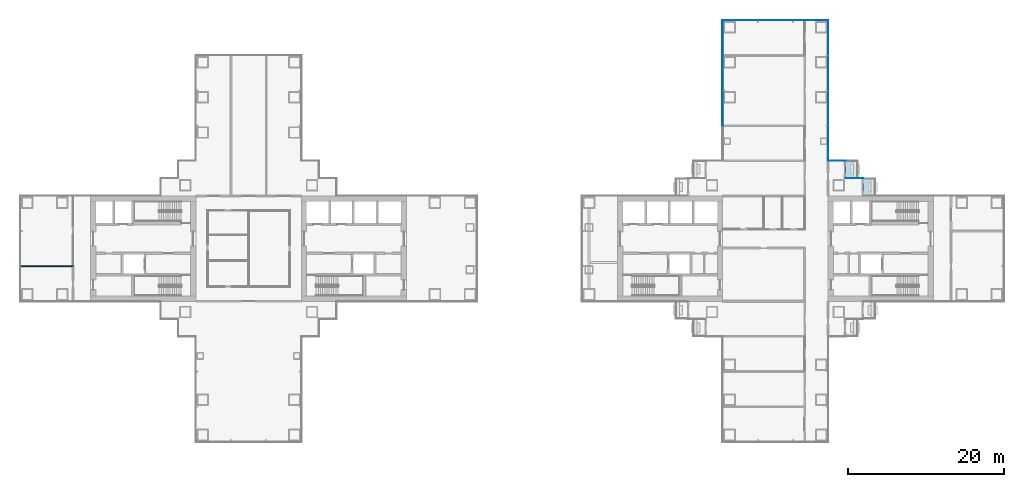
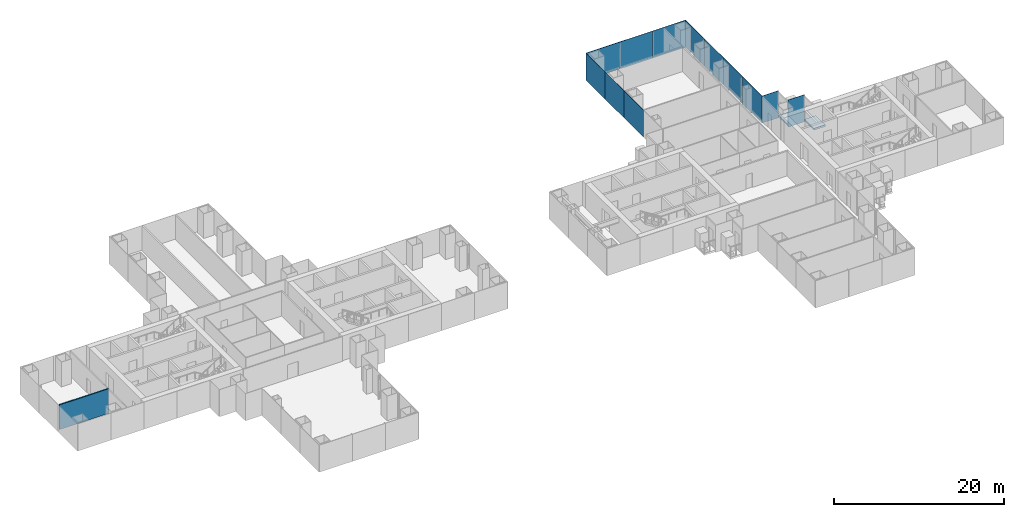
# One storey, part 12 of 21: 12 plates, 2 slabs, 1 wall, 4 elements without a shape of their own.
"""IFC4 building model written with IfcOpenShell, lengths in metres."""

from ifc_helpers import new_model, si_unit, direction, frame, frame_2d, origin, origin_2d, place, context, subcontext, project, spatial, polyline, rectangle, outline, extrude, material, layer, layer_set, type_object, element, aggregate, save


model = new_model("IFC4")

# Units and contexts
model_context = context("Model", 3, precision=1e-05, world=origin(), true_north=direction((0.0, 1.0)))
body_context = subcontext(model_context, "Body", "Model", "MODEL_VIEW")
ifc_project = project(units=[si_unit("LENGTHUNIT", "METRE"), si_unit("AREAUNIT", "SQUARE_METRE"), si_unit("VOLUMEUNIT", "CUBIC_METRE"), si_unit("PLANEANGLEUNIT", "RADIAN"), si_unit("MASSUNIT", "GRAM", prefix="KILO")], contexts=[model_context])

# Site, building, storey
site_placement = place(None, origin())
site = spatial("IfcSite", under=ifc_project, at=site_placement, CompositionType="ELEMENT")
building_placement = place(site_placement, origin())
building = spatial("IfcBuilding", under=site, at=building_placement, Name="Shamsa Quay Exchange Towers", CompositionType="ELEMENT")
storey_placement = place(building_placement, frame((0.0, 0.0, 53.699951171875)))
storey = spatial("IfcBuildingStorey", under=building, at=storey_placement, Name="L11", CompositionType="ELEMENT", Elevation=53.699951171875)

# Slabs
ifc_material_1 = material(Name="Precast concrete C40/50", Category="concrete")
ifc_layer_1 = layer(ifc_material_1, 0.25)
ifc_layer_set_1 = layer_set([ifc_layer_1], Name="BALCONY SLAB 250")
slab_type = type_object("IfcSlabType", Name="BALCONY SLAB 250", PredefinedType="FLOOR", material=ifc_layer_set_1)
slab_1_placement = place(storey_placement, frame((0.0, 0.0, -0.25)))
element("IfcSlab", 1, at=slab_1_placement, inside=storey, type_object=slab_type, Name="Balcony T2-PKES L11", PredefinedType="FLOOR", context=body_context, shape_type="SweptSolid", body=[
    extrude(outline(polyline([(42.75, 9.0380859375), (42.75, 11.25), (44.300048828125, 11.25), (44.300048828125, 9.0380859375), (42.75, 9.0380859375)])), origin(), (0.0, 0.0, 1.0), 0.25),
])
slab_2_placement = place(storey_placement, frame((0.0, 0.0, -0.25)))
element("IfcSlab", 2, at=slab_2_placement, inside=storey, type_object=slab_type, Name="Balcony T2-PKES L11", PredefinedType="FLOOR", context=body_context, shape_type="SweptSolid", body=[
    extrude(outline(polyline([(45.0, 6.7880859375), (45.0, 9.0), (46.550048828125, 9.0), (46.550048828125, 6.7880859375), (45.0, 6.7880859375)])), origin(), (0.0, 0.0, 1.0), 0.25),
])

# Curtain wall, plates
ifc_material_2 = material(Name="Aluminium EN AW-6063 T6, black anodised", Category="aluminium")
ifc_layer_2 = layer(ifc_material_2, 0.280029296875)
ifc_layer_set_2 = layer_set([ifc_layer_2], Name="CW-1 UNITISED VISION GLASS")
curtain_wall_type_1 = type_object("IfcCurtainWallType", Name="CW-1 UNITISED VISION GLASS", PredefinedType="NOTDEFINED", material=ifc_layer_set_2)
curtain_wall_1_placement = place(storey_placement, origin())
curtain_wall_1 = element("IfcCurtainWall", 3, at=curtain_wall_1_placement, inside=storey, type_object=curtain_wall_type_1, Name="CW1 T2-FLK-U+S L11", PredefinedType="NOTDEFINED")
ifc_material_3 = material(Name="Glass, laminated, dark tinted", Category="glass")
ifc_layer_3 = layer(ifc_material_3, 0.0400390625)
ifc_layer_set_3 = layer_set([ifc_layer_3], Name="CW-1 VISION GLASS 40")
plate_type_1 = type_object("IfcPlateType", Name="CW-1 VISION GLASS 40", PredefinedType="CURTAIN_PANEL", material=ifc_layer_set_3)
plate_1_placement = place(storey_placement, frame((40.52001953125, 13.53076171875, -0.349853515625), z_axis=(0.0, 0.0, 1.0), x_axis=(0.0, 1.0, 0.0)))
plate_1 = element("IfcPlate", 4, at=plate_1_placement, type_object=plate_type_1, Name="CW1 glass panel", PredefinedType="CURTAIN_PANEL", context=body_context, shape_type="SweptSolid", body=[
    extrude(rectangle(XDim=4.485595703125, YDim=0.0400390625, at=origin_2d()), origin(), (0.0, 0.0, 1.0), 3.89990234375),
])
plate_2_placement = place(storey_placement, frame((40.52001953125, 18.023681640625, -0.349853515625), z_axis=(0.0, 0.0, 1.0), x_axis=(0.0, 1.0, 0.0)))
plate_2 = element("IfcPlate", 5, at=plate_2_placement, type_object=plate_type_1, Name="CW1 glass panel", PredefinedType="CURTAIN_PANEL", context=body_context, shape_type="SweptSolid", body=[
    extrude(rectangle(XDim=4.48046875, YDim=0.0400390625, at=origin_2d()), origin(), (0.0, 0.0, 1.0), 3.89990234375),
])
plate_3_placement = place(storey_placement, frame((40.52001953125, 22.51416015625, -0.349853515625), z_axis=(0.0, 0.0, 1.0), x_axis=(0.0, 1.0, 0.0)))
plate_3 = element("IfcPlate", 6, at=plate_3_placement, type_object=plate_type_1, Name="CW1 glass panel", PredefinedType="CURTAIN_PANEL", context=body_context, shape_type="SweptSolid", body=[
    extrude(rectangle(XDim=4.48046875, YDim=0.0400390625, at=origin_2d()), origin(), (0.0, 0.0, 1.0), 3.89990234375),
])
plate_4_placement = place(storey_placement, frame((40.52001953125, 27.00732421875, -0.349853515625), z_axis=(0.0, 0.0, 1.0), x_axis=(0.0, 1.0, 0.0)))
plate_4 = element("IfcPlate", 7, at=plate_4_placement, type_object=plate_type_1, Name="CW1 glass panel", PredefinedType="CURTAIN_PANEL", context=body_context, shape_type="SweptSolid", body=[
    extrude(rectangle(XDim=4.485595703125, YDim=0.0400390625, at=origin_2d()), origin(), (0.0, 0.0, 1.0), 3.89990234375),
])
aggregate(curtain_wall_1, [plate_1, plate_2, plate_3, plate_4])

curtain_wall_2_placement = place(storey_placement, origin())
curtain_wall_2 = element("IfcCurtainWall", 8, at=curtain_wall_2_placement, inside=storey, type_object=curtain_wall_type_1, Name="CW1 T2-END-U+ L11", PredefinedType="NOTDEFINED")
plate_5_placement = place(storey_placement, frame((38.25244140625, 29.27001953125, -0.349853515625), z_axis=(0.0, 0.0, 1.0), x_axis=(-1.0, 0.0, 0.0)))
plate_5 = element("IfcPlate", 9, at=plate_5_placement, type_object=plate_type_1, Name="CW1 glass panel", PredefinedType="CURTAIN_PANEL", context=body_context, shape_type="SweptSolid", body=[
    extrude(rectangle(XDim=4.4951171875, YDim=0.0400390625, at=origin_2d()), origin(), (0.0, 0.0, 1.0), 3.89990234375),
])
plate_6_placement = place(storey_placement, frame((33.75, 29.27001953125, -0.349853515625), z_axis=(0.0, 0.0, 1.0), x_axis=(-1.0, 0.0, 0.0)))
plate_6 = element("IfcPlate", 10, at=plate_6_placement, type_object=plate_type_1, Name="CW1 glass panel", PredefinedType="CURTAIN_PANEL", context=body_context, shape_type="SweptSolid", body=[
    extrude(rectangle(XDim=4.489990234375, YDim=0.0400390625, at=origin_2d()), origin(), (0.0, 0.0, 1.0), 3.89990234375),
])
plate_7_placement = place(storey_placement, frame((29.24755859375, 29.27001953125, -0.349853515625), z_axis=(0.0, 0.0, 1.0), x_axis=(-1.0, 0.0, 0.0)))
plate_7 = element("IfcPlate", 11, at=plate_7_placement, type_object=plate_type_1, Name="CW1 glass panel", PredefinedType="CURTAIN_PANEL", context=body_context, shape_type="SweptSolid", body=[
    extrude(rectangle(XDim=4.4951171875, YDim=0.0400390625, at=origin_2d()), origin(), (0.0, 0.0, 1.0), 3.89990234375),
])
aggregate(curtain_wall_2, [plate_5, plate_6, plate_7])

curtain_wall_3_placement = place(storey_placement, origin())
curtain_wall_3 = element("IfcCurtainWall", 12, at=curtain_wall_3_placement, inside=storey, type_object=curtain_wall_type_1, Name="CW1 T2-FLK-U+N L11", PredefinedType="NOTDEFINED")
plate_8_placement = place(storey_placement, frame((26.97998046875, 27.00244140625, -0.349853515625), z_axis=(0.0, 0.0, 1.0), x_axis=(0.0, -1.0, 0.0)))
plate_8 = element("IfcPlate", 13, at=plate_8_placement, type_object=plate_type_1, Name="CW1 glass panel", PredefinedType="CURTAIN_PANEL", context=body_context, shape_type="SweptSolid", body=[
    extrude(rectangle(XDim=4.4951171875, YDim=0.0400390625, at=origin_2d()), origin(), (0.0, 0.0, 1.0), 3.89990234375),
])
plate_9_placement = place(storey_placement, frame((26.97998046875, 22.5, -0.349853515625), z_axis=(0.0, 0.0, 1.0), x_axis=(0.0, -1.0, 0.0)))
plate_9 = element("IfcPlate", 14, at=plate_9_placement, type_object=plate_type_1, Name="CW1 glass panel", PredefinedType="CURTAIN_PANEL", context=body_context, shape_type="SweptSolid", body=[
    extrude(rectangle(XDim=4.489990234375, YDim=0.0400390625, at=origin_2d()), origin(), (0.0, 0.0, 1.0), 3.89990234375),
])
plate_10_placement = place(storey_placement, frame((26.97998046875, 18.0, -0.349853515625), z_axis=(0.0, 0.0, 1.0), x_axis=(0.0, -1.0, 0.0)))
plate_10 = element("IfcPlate", 15, at=plate_10_placement, type_object=plate_type_1, Name="CW1 glass panel", PredefinedType="CURTAIN_PANEL", context=body_context, shape_type="SweptSolid", body=[
    extrude(rectangle(XDim=4.489990234375, YDim=0.0400390625, at=origin_2d()), origin(), (0.0, 0.0, 1.0), 3.89990234375),
])
aggregate(curtain_wall_3, [plate_8, plate_9, plate_10])

ifc_layer_4 = layer(ifc_material_2, 0.256103515625)
ifc_layer_set_4 = layer_set([ifc_layer_4], Name="CW-4 POCKET SERRATED GLAZING")
curtain_wall_type_2 = type_object("IfcCurtainWallType", Name="CW-4 POCKET SERRATED GLAZING", PredefinedType="NOTDEFINED", material=ifc_layer_set_4)
curtain_wall_4_placement = place(storey_placement, origin())
curtain_wall_4 = element("IfcCurtainWall", 16, at=curtain_wall_4_placement, inside=storey, type_object=curtain_wall_type_2, Name="CW4 PKES L11", PredefinedType="NOTDEFINED")
ifc_layer_5 = layer(ifc_material_3, 0.035888671875)
ifc_layer_set_5 = layer_set([ifc_layer_5], Name="CW-4 POCKET GLASS 36")
plate_type_2 = type_object("IfcPlateType", Name="CW-4 POCKET GLASS 36", PredefinedType="CURTAIN_PANEL", material=ifc_layer_set_5)
plate_11_placement = place(storey_placement, frame((43.875, 9.01806640625, -0.349853515625), z_axis=(0.0, 0.0, 1.0), x_axis=(-1.0, 0.0, 0.0)))
plate_11 = element("IfcPlate", 17, at=plate_11_placement, type_object=plate_type_2, Name="CW4 glass panel", PredefinedType="CURTAIN_PANEL", context=body_context, shape_type="SweptSolid", body=[
    extrude(rectangle(XDim=2.25, YDim=0.035888671875, at=origin_2d()), origin(), (0.0, 0.0, 1.0), 3.89990234375),
])
plate_12_placement = place(storey_placement, frame((41.625, 11.26806640625, -0.349853515625), z_axis=(0.0, 0.0, 1.0), x_axis=(-1.0, 0.0, 0.0)))
plate_12 = element("IfcPlate", 18, at=plate_12_placement, type_object=plate_type_2, Name="CW4 glass panel", PredefinedType="CURTAIN_PANEL", context=body_context, shape_type="SweptSolid", body=[
    extrude(rectangle(XDim=2.25, YDim=0.035888671875, at=origin_2d()), origin(), (0.0, 0.0, 1.0), 3.89990234375),
])
aggregate(curtain_wall_4, [plate_11, plate_12])

# Wall
ifc_material_4 = material(Name="Gypsum board partition on metal studs")
ifc_layer_6 = layer(ifc_material_4, 0.14990234375)
ifc_layer_set_6 = layer_set([ifc_layer_6], Name="Partition 150 mm EI 60")
wall_type = type_object("IfcWallType", Name="Partition 150 mm EI 60", PredefinedType="PARTITIONING", material=ifc_layer_set_6)
wall_placement = place(storey_placement, frame((-56.175048828125, -2.25, 0.0), z_axis=(0.0, 0.0, 1.0), x_axis=(-1.0, 0.0, 0.0)))
element("IfcWall", 19, at=wall_placement, inside=storey, type_object=wall_type, Name="Partition T1-R04-W17", PredefinedType="PARTITIONING", context=body_context, shape_type="SweptSolid", body=[
    extrude(rectangle(XDim=6.72998046875, YDim=0.14990234375, at=frame_2d((3.364990234375, 0.0))), origin(), (0.0, 0.0, 1.0), 3.550048828125),
])

save(model, "model.ifc")
